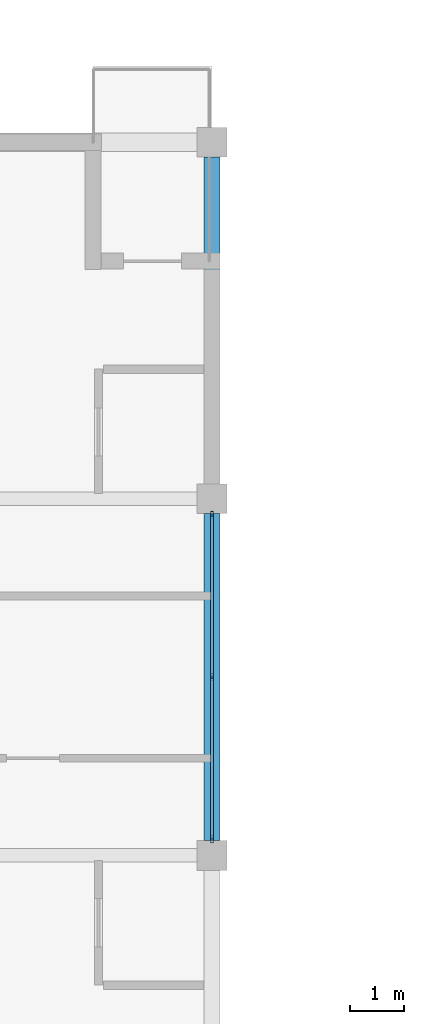
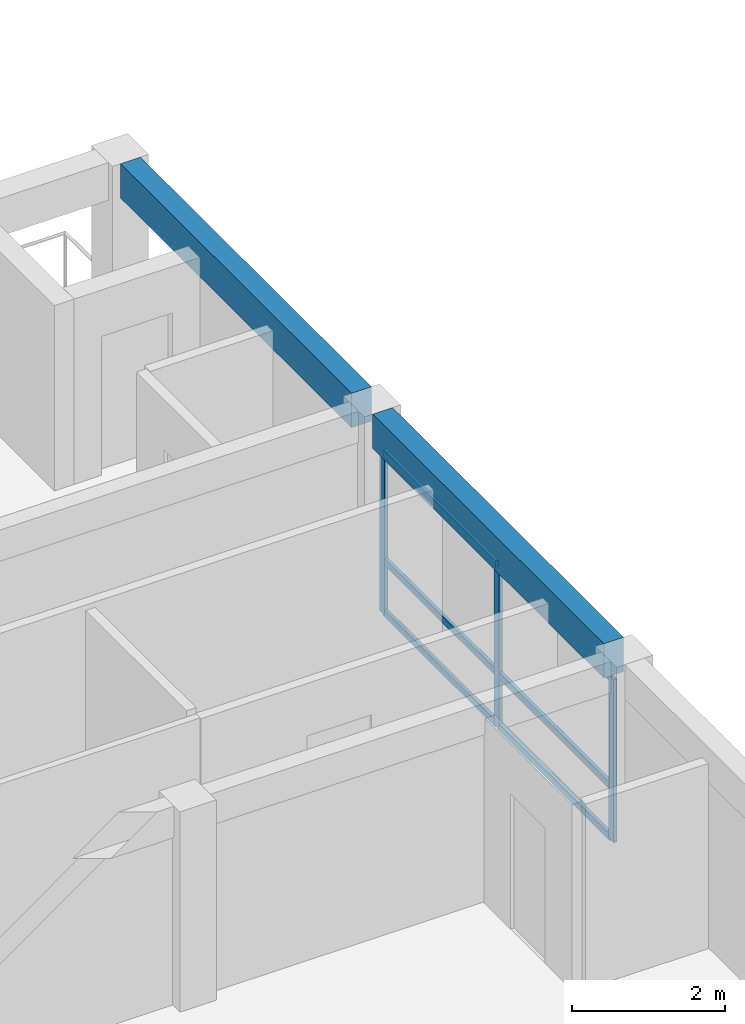
# One storey, part 18 of 45: 9 members, 2 beams, 1 element without a shape of its own.
"""IFC4 building model written with IfcOpenShell, lengths in metres."""

from ifc_helpers import new_model, si_unit, direction, frame, origin, origin_2d, place, context, subcontext, project, spatial, rectangle, hollow_rectangle, extrude, material, material_profile, profile_set, type_object, element, aggregate, save


model = new_model("IFC4")

# Units and contexts
model_context = context("Model", 3, precision=1e-05, world=origin(), true_north=direction((0.0, 1.0)))
body_context = subcontext(model_context, "Body", "Model", "MODEL_VIEW")
ifc_project = project(units=[si_unit("LENGTHUNIT", "METRE"), si_unit("AREAUNIT", "SQUARE_METRE"), si_unit("VOLUMEUNIT", "CUBIC_METRE"), si_unit("PLANEANGLEUNIT", "RADIAN"), si_unit("MASSUNIT", "GRAM", prefix="KILO")], contexts=[model_context])

# Site, building, storey
site_placement = place(None, origin())
site = spatial("IfcSite", under=ifc_project, at=site_placement, CompositionType="ELEMENT")
building_placement = place(site_placement, origin())
building = spatial("IfcBuilding", under=site, at=building_placement, Name="Kernevlak Ridge Housing Community", CompositionType="ELEMENT")
storey_placement = place(building_placement, frame((0.0, 0.0, 14.800048828125)))
storey = spatial("IfcBuildingStorey", under=building, at=storey_placement, Name="L04", CompositionType="ELEMENT", Elevation=14.800048828125)

# Curtain wall, members
ifc_material_1 = material(Name="Aluminium EN AW-6060 anodised and laminated glass", Category="aluminium")
curtain_wall_type = type_object("IfcCurtainWallType", Name="CW-10", PredefinedType="NOTDEFINED", material=ifc_material_1)
curtain_wall_placement = place(storey_placement, origin())
curtain_wall = element("IfcCurtainWall", 1, at=curtain_wall_placement, inside=storey, type_object=curtain_wall_type, Name="Curtain wall CW-10 CW-L04-015", PredefinedType="NOTDEFINED")
ifc_material_2 = material(Name="Aluminium EN AW-6060 anodised", Category="aluminium")
ifc_material_profile_1 = material_profile(ifc_material_2, hollow_rectangle(XDim=0.054931640625, YDim=0.139892578125, WallThickness=0.00390625, InnerFilletRadius=0.001953125, OuterFilletRadius=0.00390625, at=origin_2d()), Name="ALU 55x140x4")
ifc_profile_set_1 = profile_set([ifc_material_profile_1], Name="Aluminium EN AW-6060 anodised")
member_type_1 = type_object("IfcMemberType", Name="MU-01", PredefinedType="MULLION", material=ifc_profile_set_1)
member_1_placement = place(storey_placement, frame((48.60009765625, 82.902587890625, 0.0), z_axis=(0.0, 0.0, 1.0), x_axis=(-1.0, 0.0, 0.0)))
member_1 = element("IfcMember", 2, at=member_1_placement, type_object=member_type_1, Name="CW-10 mullion 1", PredefinedType="MULLION", context=body_context, shape_type="SweptSolid", body=[
    extrude(hollow_rectangle(XDim=0.054931640625, YDim=0.139892578125, WallThickness=0.00390625, InnerFilletRadius=0.001953125, OuterFilletRadius=0.00390625, at=origin_2d()), origin(), (0.0, 0.0, 1.0), 2.599853515625),
])
member_2_placement = place(storey_placement, frame((48.60009765625, 85.89990234375, 0.0), z_axis=(0.0, 0.0, 1.0), x_axis=(-1.0, 0.0, 0.0)))
member_2 = element("IfcMember", 3, at=member_2_placement, type_object=member_type_1, Name="CW-10 mullion 2", PredefinedType="MULLION", context=body_context, shape_type="SweptSolid", body=[
    extrude(hollow_rectangle(XDim=0.054931640625, YDim=0.139892578125, WallThickness=0.00390625, InnerFilletRadius=0.001953125, OuterFilletRadius=0.00390625, at=origin_2d()), origin(), (0.0, 0.0, 1.0), 2.599853515625),
])
member_3_placement = place(storey_placement, frame((48.60009765625, 88.8974609375, 0.0), z_axis=(0.0, 0.0, 1.0), x_axis=(-1.0, 0.0, 0.0)))
member_3 = element("IfcMember", 4, at=member_3_placement, type_object=member_type_1, Name="CW-10 mullion 3", PredefinedType="MULLION", context=body_context, shape_type="SweptSolid", body=[
    extrude(hollow_rectangle(XDim=0.054931640625, YDim=0.139892578125, WallThickness=0.00390625, InnerFilletRadius=0.001953125, OuterFilletRadius=0.00390625, at=origin_2d()), origin(), (0.0, 0.0, 1.0), 2.599853515625),
])

# Beams
ifc_material_3 = material(Name="Concrete C35/45", Category="concrete")
ifc_material_profile_2 = material_profile(ifc_material_3, rectangle(XDim=0.300048828125, YDim=0.550048828125, at=origin_2d()), Name="RC 300x550")
ifc_profile_set_2 = profile_set([ifc_material_profile_2], Name="Concrete C35/45")
beam_type = type_object("IfcBeamType", Name="SP-01", PredefinedType="SPANDREL", material=ifc_profile_set_2)
beam_1_placement = place(storey_placement, frame((48.60009765625, 82.875, 2.925048828125), z_axis=(0.0, 1.0, 0.0), x_axis=(-1.0, 0.0, 0.0)))
element("IfcBeam", 5, at=beam_1_placement, inside=storey, type_object=beam_type, Name="Beam SP-01 L04 185", PredefinedType="SPANDREL", context=body_context, shape_type="SweptSolid", body=[
    extrude(rectangle(XDim=0.300048828125, YDim=0.550048828125, at=origin_2d()), origin(), (0.0, 0.0, 1.0), 6.050048828125),
])
beam_2_placement = place(storey_placement, frame((48.60009765625, 89.47509765625, 2.925048828125), z_axis=(0.0, 1.0, 0.0), x_axis=(-1.0, 0.0, 0.0)))
element("IfcBeam", 6, at=beam_2_placement, inside=storey, type_object=beam_type, Name="Beam SP-01 L04 186", PredefinedType="SPANDREL", context=body_context, shape_type="SweptSolid", body=[
    extrude(rectangle(XDim=0.300048828125, YDim=0.550048828125, at=origin_2d()), origin(), (0.0, 0.0, 1.0), 6.0498046875),
])

# Member
ifc_material_profile_3 = material_profile(ifc_material_2, hollow_rectangle(XDim=0.054931640625, YDim=0.110107421875, WallThickness=0.00390625, InnerFilletRadius=0.001953125, OuterFilletRadius=0.00390625, at=origin_2d()), Name="ALU 55x110x4")
ifc_profile_set_3 = profile_set([ifc_material_profile_3], Name="Aluminium EN AW-6060 anodised")
member_type_2 = type_object("IfcMemberType", Name="TM-01", PredefinedType="USERDEFINED", material=ifc_profile_set_3)
member_4_placement = place(storey_placement, frame((48.60009765625, 82.929931640625, 0.02734375), z_axis=(0.0, 1.0, 0.0), x_axis=(-1.0, 0.0, 0.0)))
member_4 = element("IfcMember", 7, at=member_4_placement, type_object=member_type_2, Name="CW-10 transom 1.1", ObjectType="TRANSOM", PredefinedType="USERDEFINED", context=body_context, shape_type="SweptSolid", body=[
    extrude(hollow_rectangle(XDim=0.054931640625, YDim=0.110107421875, WallThickness=0.00390625, InnerFilletRadius=0.001953125, OuterFilletRadius=0.00390625, at=origin_2d()), origin(), (0.0, 0.0, 1.0), 2.942626953125),
])

member_5_placement = place(storey_placement, frame((48.60009765625, 82.929931640625, 0.849853515625), z_axis=(0.0, 1.0, 0.0), x_axis=(-1.0, 0.0, 0.0)))
member_5 = element("IfcMember", 8, at=member_5_placement, type_object=member_type_2, Name="CW-10 transom 1.2", ObjectType="TRANSOM", PredefinedType="USERDEFINED", context=body_context, shape_type="SweptSolid", body=[
    extrude(hollow_rectangle(XDim=0.054931640625, YDim=0.110107421875, WallThickness=0.00390625, InnerFilletRadius=0.001953125, OuterFilletRadius=0.00390625, at=origin_2d()), origin(), (0.0, 0.0, 1.0), 2.942626953125),
])

member_6_placement = place(storey_placement, frame((48.60009765625, 82.929931640625, 2.572509765625), z_axis=(0.0, 1.0, 0.0), x_axis=(-1.0, 0.0, 0.0)))
member_6 = element("IfcMember", 9, at=member_6_placement, type_object=member_type_2, Name="CW-10 transom 1.3", ObjectType="TRANSOM", PredefinedType="USERDEFINED", context=body_context, shape_type="SweptSolid", body=[
    extrude(hollow_rectangle(XDim=0.054931640625, YDim=0.110107421875, WallThickness=0.00390625, InnerFilletRadius=0.001953125, OuterFilletRadius=0.00390625, at=origin_2d()), origin(), (0.0, 0.0, 1.0), 2.942626953125),
])

member_7_placement = place(storey_placement, frame((48.60009765625, 85.927490234375, 0.02734375), z_axis=(0.0, 1.0, 0.0), x_axis=(-1.0, 0.0, 0.0)))
member_7 = element("IfcMember", 10, at=member_7_placement, type_object=member_type_2, Name="CW-10 transom 2.1", ObjectType="TRANSOM", PredefinedType="USERDEFINED", context=body_context, shape_type="SweptSolid", body=[
    extrude(hollow_rectangle(XDim=0.054931640625, YDim=0.110107421875, WallThickness=0.00390625, InnerFilletRadius=0.001953125, OuterFilletRadius=0.00390625, at=origin_2d()), origin(), (0.0, 0.0, 1.0), 2.942626953125),
])

member_8_placement = place(storey_placement, frame((48.60009765625, 85.927490234375, 0.849853515625), z_axis=(0.0, 1.0, 0.0), x_axis=(-1.0, 0.0, 0.0)))
member_8 = element("IfcMember", 11, at=member_8_placement, type_object=member_type_2, Name="CW-10 transom 2.2", ObjectType="TRANSOM", PredefinedType="USERDEFINED", context=body_context, shape_type="SweptSolid", body=[
    extrude(hollow_rectangle(XDim=0.054931640625, YDim=0.110107421875, WallThickness=0.00390625, InnerFilletRadius=0.001953125, OuterFilletRadius=0.00390625, at=origin_2d()), origin(), (0.0, 0.0, 1.0), 2.942626953125),
])

member_9_placement = place(storey_placement, frame((48.60009765625, 85.927490234375, 2.572509765625), z_axis=(0.0, 1.0, 0.0), x_axis=(-1.0, 0.0, 0.0)))
member_9 = element("IfcMember", 12, at=member_9_placement, type_object=member_type_2, Name="CW-10 transom 2.3", ObjectType="TRANSOM", PredefinedType="USERDEFINED", context=body_context, shape_type="SweptSolid", body=[
    extrude(hollow_rectangle(XDim=0.054931640625, YDim=0.110107421875, WallThickness=0.00390625, InnerFilletRadius=0.001953125, OuterFilletRadius=0.00390625, at=origin_2d()), origin(), (0.0, 0.0, 1.0), 2.942626953125),
])

aggregate(curtain_wall, [member_1, member_2, member_3, member_4, member_5, member_6, member_7, member_8, member_9])

save(model, "model.ifc")
